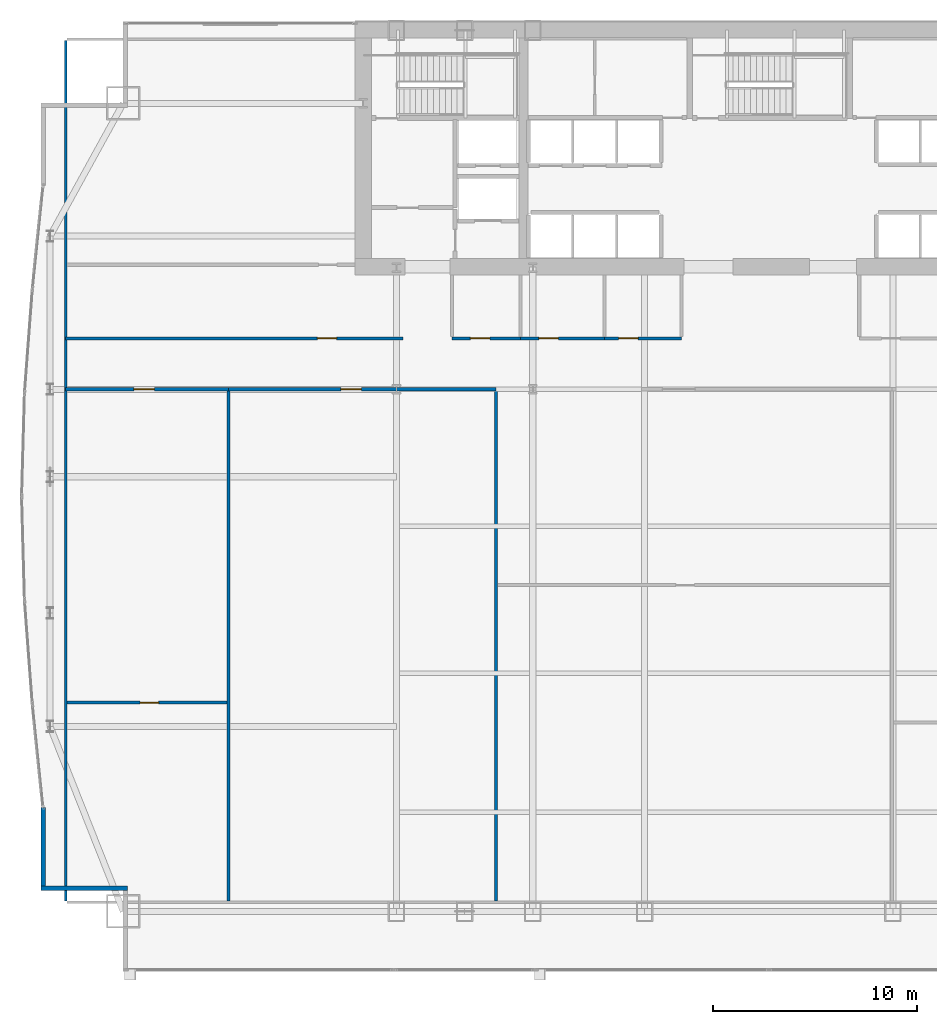
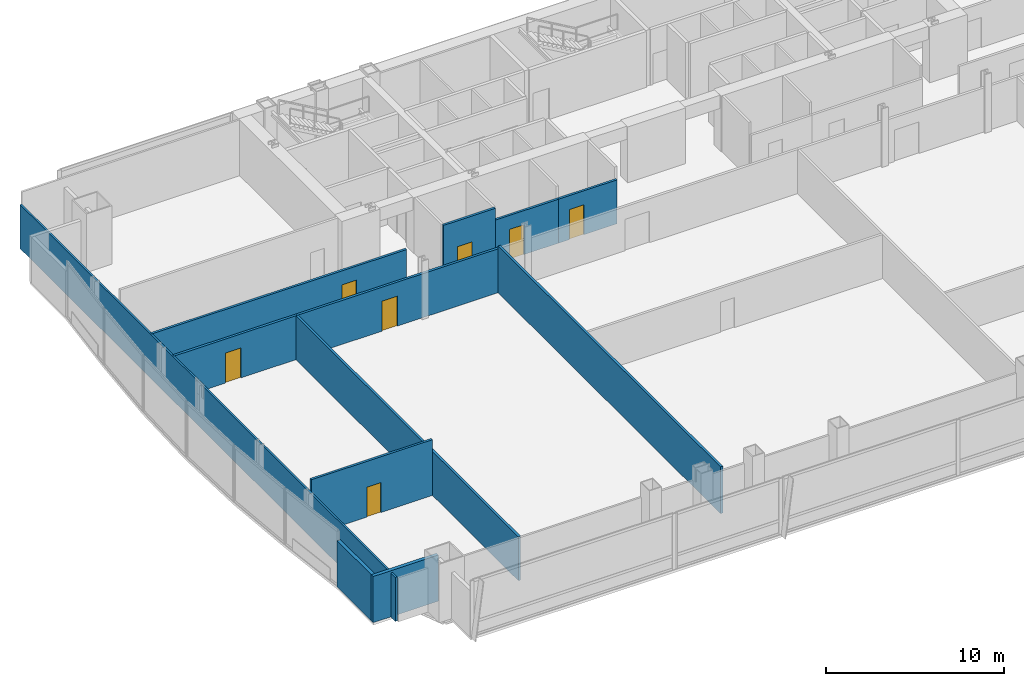
# One storey, part 28 of 33: 12 walls, 7 doors, 7 openings.
"""IFC4 building model written with IfcOpenShell, lengths in metres."""

import ifcopenshell
import ifcopenshell.guid

model = None  # the IFC model being written
_history = None  # IfcOwnerHistory: only IFC2X3 demands one
_inside = {}  # id of a spatial element -> (the spatial element, [elements in it])
_under = {}  # id of a project, library or spatial element -> (it, [spatial elements below it])
_declared = {}  # id of a project -> (the project, [libraries it declares])
_typed = {}  # id of a type object -> (the type object, [elements of that type])
_made_of = {}  # id of a material, layer set ... -> (it, [elements and type objects made of it])


def new_model(schema):
    """Start an empty IFC model of exactly this schema.

    Asked for "IFC4X3", IfcOpenShell would pick the latest addendum, in which some entities
    have other attributes; the version numbers below select the first issue.
    IFC2X3 requires an IfcOwnerHistory on every rooted entity: one is made here for all.
    """
    global model, _history
    if schema == "IFC4X3":
        model = ifcopenshell.file(schema_version=(4, 3, 0, 0))
    else:
        model = ifcopenshell.file(schema=schema)
    _inside.clear()
    _under.clear()
    _declared.clear()
    _typed.clear()
    _made_of.clear()
    _history = None
    if model.schema == "IFC2X3":
        org = make("IfcOrganization", Name="unknown")
        user = make(
            "IfcPersonAndOrganization",
            ThePerson=make("IfcPerson", FamilyName="unknown"),
            TheOrganization=org,
        )
        app = make(
            "IfcApplication",
            ApplicationDeveloper=org,
            Version="unknown",
            ApplicationFullName="unknown",
            ApplicationIdentifier="unknown",
        )
        _history = make(
            "IfcOwnerHistory",
            OwningUser=user,
            OwningApplication=app,
            ChangeAction="ADDED",
            CreationDate=0,
        )
    return model


def make(cls, **values):
    """One entity of the class cls with the attributes given. An attribute that is None is left unset."""
    return model.create_entity(
        cls, **{name: value for name, value in values.items() if value is not None}
    )


def rooted(cls, **values):
    """An entity with a GlobalId (a new one), such as an element, a storey or a relation."""
    return make(cls, GlobalId=ifcopenshell.guid.new(), OwnerHistory=_history, **values)


def si_unit(unit_type, name, prefix=None):
    """IfcSIUnit, for example si_unit("LENGTHUNIT", "METRE", prefix="MILLI")."""
    return make("IfcSIUnit", UnitType=unit_type, Prefix=prefix, Name=name)


def assignment(units):
    """IfcUnitAssignment: the units of a project."""
    return None if units is None else make("IfcUnitAssignment", Units=units)


def point(xyz):
    """IfcCartesianPoint."""
    return None if xyz is None else make("IfcCartesianPoint", Coordinates=xyz)


def direction(xyz):
    """IfcDirection."""
    return None if xyz is None else make("IfcDirection", DirectionRatios=xyz)


def frame(location, z_axis=None, x_axis=None):
    """IfcAxis2Placement3D, a coordinate frame: its origin and axes. An axis left out is left unset."""
    return make(
        "IfcAxis2Placement3D",
        Location=point(location),
        Axis=direction(z_axis),
        RefDirection=direction(x_axis),
    )


def frame_2d(location, x_axis=None):
    """IfcAxis2Placement2D, a coordinate frame in the plane: its origin and x axis."""
    return make(
        "IfcAxis2Placement2D", Location=point(location), RefDirection=direction(x_axis)
    )


def origin():
    """The frame at (0, 0, 0) with its axes left unset."""
    return frame((0.0, 0.0, 0.0))


def place(relative_to, where):
    """IfcLocalPlacement: puts the frame where relative to a parent placement (None: the world)."""
    return make(
        "IfcLocalPlacement", PlacementRelTo=relative_to, RelativePlacement=where
    )


def context(
    kind, dimensions, precision=None, world=None, true_north=None, identifier=None
):
    """IfcGeometricRepresentationContext, for example the 3D "Model" context."""
    return make(
        "IfcGeometricRepresentationContext",
        ContextIdentifier=identifier,
        ContextType=kind,
        CoordinateSpaceDimension=dimensions,
        Precision=precision,
        WorldCoordinateSystem=world,
        TrueNorth=true_north,
    )


def subcontext(parent, identifier, kind, view, scale=None):
    """IfcGeometricRepresentationSubContext, for example "Body" below "Model"."""
    return make(
        "IfcGeometricRepresentationSubContext",
        ContextIdentifier=identifier,
        ContextType=kind,
        ParentContext=parent,
        TargetScale=scale,
        TargetView=view,
    )


def project(units=None, contexts=None):
    """IfcProject with its units and contexts."""
    return rooted(
        "IfcProject",
        Name="project",
        RepresentationContexts=contexts,
        UnitsInContext=assignment(units),
    )


def spatial(cls, under=None, at=None, **own):
    """A site, building, storey or space (cls), placed at a placement, below another one or the project."""
    s = rooted(cls, ObjectPlacement=at, **own)
    if under is not None:
        _under.setdefault(under.id(), (under, []))[1].append(s)
    return s


def profile(cls, at=None, kind="AREA", **sizes):
    """A parametric profile (cls). Its sizes go by their IFC names, for example OverallWidth=200.0."""
    return make(cls, ProfileType=kind, Position=at, **sizes)


def rectangle(**sizes):
    """IfcRectangleProfileDef."""
    return profile("IfcRectangleProfileDef", **sizes)


def extrude(swept, where, along, depth):
    """IfcExtrudedAreaSolid: the profile swept, set in the frame where, extruded along a direction by depth."""
    return make(
        "IfcExtrudedAreaSolid",
        SweptArea=swept,
        Position=where,
        ExtrudedDirection=direction(along),
        Depth=depth,
    )


def shape(context_of_items, identifier, shape_type, items):
    """IfcShapeRepresentation: the items that make up one representation, for example the "Body"."""
    return make(
        "IfcShapeRepresentation",
        ContextOfItems=context_of_items,
        RepresentationIdentifier=identifier,
        RepresentationType=shape_type,
        Items=items,
    )


def material(Name=None, Category=None):
    """IfcMaterial."""
    return make("IfcMaterial", Name=Name, Category=Category)


def layer(
    of_material, thickness, ventilated=None, Name=None, Category=None, Priority=None
):
    """IfcMaterialLayer: one layer of a wall or slab, of a material (None: an air gap)."""
    return make(
        "IfcMaterialLayer",
        Material=of_material,
        LayerThickness=thickness,
        IsVentilated=ventilated,
        Name=Name,
        Category=Category,
        Priority=Priority,
    )


def layer_set(layers, Name=None):
    """IfcMaterialLayerSet."""
    return make("IfcMaterialLayerSet", MaterialLayers=layers, LayerSetName=Name)


def made_of(thing, what):
    """Note that an element or type object is made of a material, layer set ...; save() writes the relation."""
    if what is not None:
        _made_of.setdefault(what.id(), (what, []))[1].append(thing)
    return thing


def type_object(cls, material=None, **own):
    """A type object (cls), such as IfcWallType, which elements share."""
    return made_of(rooted(cls, **own), material)


def element(
    cls,
    number,
    at=None,
    inside=None,
    cuts=None,
    type_object=None,
    material=None,
    context=None,
    identifier="Body",
    shape_type=None,
    held_by="IfcProductDefinitionShape",
    body=None,
    shapes=None,
    **own,
):
    """One element of the class cls, such as IfcWall. Its Tag is "e" and its number.

    at: its placement. inside: the storey or other place that contains it. cuts: it is an
    opening in that element (IfcRelVoidsElement). A single representation is given by context,
    identifier, shape_type and body (its items); several are given by shapes. held_by: the class
    of the entity that holds the representations. save() writes the other relations.
    """
    e = rooted(cls, Tag="e%d" % number, ObjectPlacement=at, **own)
    if body is not None:
        shapes = [shape(context, identifier, shape_type, body)]
    if shapes is not None:
        e.Representation = make(held_by, Representations=shapes)
    if inside is not None:
        _inside.setdefault(inside.id(), (inside, []))[1].append(e)
    if cuts is not None:
        rooted(
            "IfcRelVoidsElement", RelatingBuildingElement=cuts, RelatedOpeningElement=e
        )
    if type_object is not None:
        _typed.setdefault(type_object.id(), (type_object, []))[1].append(e)
    return made_of(e, material)


def fill(opening, filler):
    """IfcRelFillsElement: the door or window that sits in an opening."""
    return rooted(
        "IfcRelFillsElement",
        RelatingOpeningElement=opening,
        RelatedBuildingElement=filler,
    )


def aggregate(whole, parts):
    """IfcRelAggregates: a whole, such as a stair, and the parts it consists of."""
    return rooted("IfcRelAggregates", RelatingObject=whole, RelatedObjects=parts)


def save(model, path):
    """Write the relations noted so far, then the file.

    IfcRelAggregates (storeys below a building ...), IfcRelContainedInSpatialStructure (elements
    in a storey), IfcRelDefinesByType, IfcRelAssociatesMaterial and IfcRelDeclares: one each for
    every whole, place, type object, material and project.
    """
    for whole, parts in _under.values():
        aggregate(whole, parts)
    for where, things in _inside.values():
        rooted(
            "IfcRelContainedInSpatialStructure",
            RelatedElements=things,
            RelatingStructure=where,
        )
    for kind, things in _typed.values():
        rooted("IfcRelDefinesByType", RelatedObjects=things, RelatingType=kind)
    for what, things in _made_of.values():
        rooted("IfcRelAssociatesMaterial", RelatedObjects=things, RelatingMaterial=what)
    for by, libraries in _declared.values():
        rooted("IfcRelDeclares", RelatingContext=by, RelatedDefinitions=libraries)
    model.write(path)


model = new_model("IFC4")

# Units and contexts
model_context = context("Model", 3, precision=1e-05, world=origin(), true_north=direction((0.0, 1.0)))
body_context = subcontext(model_context, "Body", "Model", "MODEL_VIEW")
ifc_project = project(units=[si_unit("LENGTHUNIT", "METRE"), si_unit("AREAUNIT", "SQUARE_METRE"), si_unit("VOLUMEUNIT", "CUBIC_METRE"), si_unit("PLANEANGLEUNIT", "RADIAN"), si_unit("MASSUNIT", "GRAM", prefix="KILO")], contexts=[model_context])

# Site, building, storey
site_placement = place(None, origin())
site = spatial("IfcSite", under=ifc_project, at=site_placement, CompositionType="ELEMENT")
building_placement = place(site_placement, origin())
building = spatial("IfcBuilding", under=site, at=building_placement, Name="Khoronbel Lancet Exchange", CompositionType="ELEMENT")
storey_placement = place(building_placement, frame((0.0, 0.0, 33.800048828125)))
storey = spatial("IfcBuildingStorey", under=building, at=storey_placement, Name="L07", CompositionType="ELEMENT", Elevation=33.800048828125)

# Walls
ifc_material_1 = material(Name="Precast concrete C40/50", Category="concrete")
ifc_layer_1 = layer(ifc_material_1, 0.25, Name="Precast concrete C40/50")
ifc_layer_set_1 = layer_set([ifc_layer_1], Name="Precast concrete C40/50")
wall_type_1 = type_object("IfcWallType", Name="WL-EXT250", PredefinedType="SOLIDWALL", material=ifc_layer_set_1)
wall_1_placement = place(storey_placement, frame((5.050048828125, 11.2900390625, 0.0), z_axis=(0.0, 0.0, 1.0), x_axis=(-1.0, 0.0, 0.0)))
element("IfcWall", 1, at=wall_1_placement, inside=storey, type_object=wall_type_1, Name="Level L07 notched-corner limestone pier 02", PredefinedType="SOLIDWALL", context=body_context, shape_type="SweptSolid", body=[
    extrude(rectangle(XDim=4.219970703125, YDim=0.219970703125, at=frame_2d((2.10986328125, 0.0))), origin(), (0.0, 0.0, 1.0), 3.159912109375),
])
wall_2_placement = place(storey_placement, frame((0.93994140625, 11.39990234375, 0.0), z_axis=(0.0, 0.0, 1.0), x_axis=(0.0, 1.0, 0.0)))
element("IfcWall", 2, at=wall_2_placement, inside=storey, type_object=wall_type_1, Name="Level L07 notched-corner limestone pier 03", PredefinedType="SOLIDWALL", context=body_context, shape_type="SweptSolid", body=[
    extrude(rectangle(XDim=3.82470703125, YDim=0.219970703125, at=frame_2d((1.912353515625, 0.0))), origin(), (0.0, 0.0, 1.0), 3.159912109375),
])

# Wall, opening, door
ifc_material_2 = material(Name="Acoustic Metal-Stud & Mineral-Wool Gypsum Partition 120 mm", Category="gypsum")
ifc_layer_2 = layer(ifc_material_2, 0.1201171875, Name="Acoustic Metal-Stud & Mineral-Wool Gypsum Partition 120 mm")
ifc_layer_set_2 = layer_set([ifc_layer_2], Name="Acoustic Metal-Stud & Mineral-Wool Gypsum Partition 120 mm")
wall_type_2 = type_object("IfcWallType", Name="WL-PRT120", PredefinedType="PARTITIONING", material=ifc_layer_set_2)
wall_3_placement = place(storey_placement, frame((2.094970703125, 20.369384765625, 0.0), z_axis=(0.0, 0.0, 1.0), x_axis=(1.0, 0.0, 0.0)))
wall_3 = element("IfcWall", 3, at=wall_3_placement, inside=storey, type_object=wall_type_2, Name="Level L07 interior partition PW-Z1S-H1", PredefinedType="PARTITIONING", context=body_context, shape_type="SweptSolid", body=[
    extrude(rectangle(XDim=7.830078125, YDim=0.14990234375, at=frame_2d((3.9150390625, 0.0))), origin(), (0.0, 0.0, 1.0), 3.820068359375),
])
opening_1_placement = place(wall_3_placement, frame((3.5888671875, 0.0, 0.0)))
opening_1 = element("IfcOpeningElement", 4, at=opening_1_placement, cuts=wall_3, Name="Opening D5", PredefinedType="OPENING", context=body_context, shape_type="SweptSolid", body=[
    extrude(rectangle(XDim=0.89990234375, YDim=2.050048828125, at=frame_2d((0.449951171875, 1.02490234375))), frame((0.0, 0.0849609375, 0.0), z_axis=(0.0, -1.0, 0.0), x_axis=(1.0, 0.0, 0.0)), (0.0, 0.0, 1.0), 0.169921875),
])
ifc_material_3 = material(Name="Acoustic Timber Pantry & Support Door", Category="wood")
door_type_1 = type_object("IfcDoorType", Name="DR-D5", OperationType="NOTDEFINED", PredefinedType="DOOR", material=ifc_material_3)
door_1_placement = place(opening_1_placement, origin())
door_1 = element("IfcDoor", 5, at=door_1_placement, inside=storey, type_object=door_type_1, Name="Z1S inner door 1 L07-1", OperationType="SINGLE_SWING_LEFT", OverallHeight=2.050048828125, OverallWidth=0.89990234375, PredefinedType="DOOR", context=body_context, shape_type="SweptSolid", body=[
    extrude(rectangle(XDim=0.89990234375, YDim=2.050048828125, at=frame_2d((0.449951171875, 1.02490234375))), frame((0.0, 0.02490234375, 0.0), z_axis=(0.0, -1.0, 0.0), x_axis=(1.0, 0.0, 0.0)), (0.0, 0.0, 1.0), 0.050048828125),
])
fill(opening_1, door_1)

# Wall
wall_4_placement = place(storey_placement, frame((2.030029296875, 10.6650390625, 0.0), z_axis=(0.0, 0.0, 1.0), x_axis=(0.0, 1.0, 0.0)))
element("IfcWall", 6, at=wall_4_placement, inside=storey, type_object=wall_type_2, Name="Level L07 interior partition PW-LIN-W", PredefinedType="PARTITIONING", context=body_context, shape_type="SweptSolid", body=[
    extrude(rectangle(XDim=42.10986328125, YDim=0.1201171875, at=frame_2d((21.054931640625, 0.0))), origin(), (0.0, 0.0, 1.0), 3.010009765625),
])

# Wall, opening, door
ifc_material_4 = material(Name="Fire-Rated Twin-Stud Acoustic Gypsum Partition 150 mm", Category="gypsum")
ifc_layer_3 = layer(ifc_material_4, 0.14990234375, Name="Fire-Rated Twin-Stud Acoustic Gypsum Partition 150 mm")
ifc_layer_set_3 = layer_set([ifc_layer_3], Name="Fire-Rated Twin-Stud Acoustic Gypsum Partition 150 mm")
wall_type_3 = type_object("IfcWallType", Name="WL-PRT150C", PredefinedType="PARTITIONING", material=ifc_layer_set_3)
wall_5_placement = place(storey_placement, frame((20.949951171875, 38.199951171875, 0.0), z_axis=(0.0, 0.0, 1.0), x_axis=(1.0, 0.0, 0.0)))
wall_5 = element("IfcWall", 7, at=wall_5_placement, inside=storey, type_object=wall_type_3, Name="Level L07 interior partition PW-WC-S1", PredefinedType="PARTITIONING", context=body_context, shape_type="SweptSolid", body=[
    extrude(rectangle(XDim=3.35009765625, YDim=0.14990234375, at=frame_2d((1.675048828125, 0.0))), origin(), (0.0, 0.0, 1.0), 3.820068359375),
])
opening_2_placement = place(wall_5_placement, frame((0.89990234375, 0.0, 0.0)))
opening_2 = element("IfcOpeningElement", 8, at=opening_2_placement, cuts=wall_5, Name="Opening D4", PredefinedType="OPENING", context=body_context, shape_type="SweptSolid", body=[
    extrude(rectangle(XDim=0.949951171875, YDim=2.050048828125, at=frame_2d((0.47509765625, 1.02490234375))), frame((0.0, 0.0849609375, 0.0), z_axis=(0.0, -1.0, 0.0), x_axis=(1.0, 0.0, 0.0)), (0.0, 0.0, 1.0), 0.169921875),
])
ifc_material_5 = material(Name="Moisture-Resistant HPL Washroom Door", Category="wood")
door_type_2 = type_object("IfcDoorType", Name="DR-D4", OperationType="NOTDEFINED", PredefinedType="DOOR", material=ifc_material_5)
door_2_placement = place(opening_2_placement, origin())
door_2 = element("IfcDoor", 9, at=door_2_placement, inside=storey, type_object=door_type_2, Name="Male washroom door L07-1", OperationType="SINGLE_SWING_LEFT", OverallHeight=2.050048828125, OverallWidth=0.949951171875, PredefinedType="DOOR", context=body_context, shape_type="SweptSolid", body=[
    extrude(rectangle(XDim=0.949951171875, YDim=2.050048828125, at=frame_2d((0.47509765625, 1.02490234375))), frame((0.0, 0.02490234375, 0.0), z_axis=(0.0, -1.0, 0.0), x_axis=(1.0, 0.0, 0.0)), (0.0, 0.0, 1.0), 0.050048828125),
])
fill(opening_2, door_2)

wall_6_placement = place(storey_placement, frame((24.300048828125, 38.199951171875, 0.0), z_axis=(0.0, 0.0, 1.0), x_axis=(1.0, 0.0, 0.0)))
wall_6 = element("IfcWall", 10, at=wall_6_placement, inside=storey, type_object=wall_type_3, Name="Level L07 interior partition PW-WC-S2", PredefinedType="PARTITIONING", context=body_context, shape_type="SweptSolid", body=[
    extrude(rectangle(XDim=4.099853515625, YDim=0.14990234375, at=frame_2d((2.0498046875, 0.0))), origin(), (0.0, 0.0, 1.0), 3.010009765625),
])
opening_3_placement = place(wall_6_placement, frame((0.89990234375, 0.0, 0.0)))
opening_3 = element("IfcOpeningElement", 11, at=opening_3_placement, cuts=wall_6, Name="Opening D4", PredefinedType="OPENING", context=body_context, shape_type="SweptSolid", body=[
    extrude(rectangle(XDim=0.949951171875, YDim=2.050048828125, at=frame_2d((0.47509765625, 1.02490234375))), frame((0.0, 0.0849609375, 0.0), z_axis=(0.0, -1.0, 0.0), x_axis=(1.0, 0.0, 0.0)), (0.0, 0.0, 1.0), 0.169921875),
])
door_3_placement = place(opening_3_placement, origin())
door_3 = element("IfcDoor", 12, at=door_3_placement, inside=storey, type_object=door_type_2, Name="Female washroom door L07-1", OperationType="SINGLE_SWING_RIGHT", OverallHeight=2.050048828125, OverallWidth=0.949951171875, PredefinedType="DOOR", context=body_context, shape_type="SweptSolid", body=[
    extrude(rectangle(XDim=0.949951171875, YDim=2.050048828125, at=frame_2d((0.47509765625, 1.02490234375))), frame((0.0, 0.02490234375, 0.0), z_axis=(0.0, -1.0, 0.0), x_axis=(1.0, 0.0, 0.0)), (0.0, 0.0, 1.0), 0.050048828125),
])
fill(opening_3, door_3)

wall_7_placement = place(storey_placement, frame((28.39990234375, 38.199951171875, 0.0), z_axis=(0.0, 0.0, 1.0), x_axis=(1.0, 0.0, 0.0)))
wall_7 = element("IfcWall", 13, at=wall_7_placement, inside=storey, type_object=wall_type_3, Name="Level L07 interior partition PW-WC-S3", PredefinedType="PARTITIONING", context=body_context, shape_type="SweptSolid", body=[
    extrude(rectangle(XDim=3.780029296875, YDim=0.14990234375, at=frame_2d((1.89013671875, 0.0))), origin(), (0.0, 0.0, 1.0), 3.010009765625),
])
opening_4_placement = place(wall_7_placement, frame((0.699951171875, 0.0, 0.0)))
opening_4 = element("IfcOpeningElement", 14, at=opening_4_placement, cuts=wall_7, Name="Opening D4", PredefinedType="OPENING", context=body_context, shape_type="SweptSolid", body=[
    extrude(rectangle(XDim=0.949951171875, YDim=2.050048828125, at=frame_2d((0.47509765625, 1.02490234375))), frame((0.0, 0.0849609375, 0.0), z_axis=(0.0, -1.0, 0.0), x_axis=(1.0, 0.0, 0.0)), (0.0, 0.0, 1.0), 0.169921875),
])
door_4_placement = place(opening_4_placement, origin())
door_4 = element("IfcDoor", 15, at=door_4_placement, inside=storey, type_object=door_type_2, Name="Accessible WC door L07-1", OperationType="SINGLE_SWING_LEFT", OverallHeight=2.050048828125, OverallWidth=0.949951171875, PredefinedType="DOOR", context=body_context, shape_type="SweptSolid", body=[
    extrude(rectangle(XDim=0.949951171875, YDim=2.050048828125, at=frame_2d((0.47509765625, 1.02490234375))), frame((0.0, 0.02490234375, 0.0), z_axis=(0.0, -1.0, 0.0), x_axis=(1.0, 0.0, 0.0)), (0.0, 0.0, 1.0), 0.050048828125),
])
fill(opening_4, door_4)

wall_8_placement = place(storey_placement, frame((2.030029296875, 38.199951171875, 0.0), z_axis=(0.0, 0.0, 1.0), x_axis=(1.0, 0.0, 0.0)))
wall_8 = element("IfcWall", 16, at=wall_8_placement, inside=storey, type_object=wall_type_3, Name="Level L07 interior partition PW-NW-S", PredefinedType="PARTITIONING", context=body_context, shape_type="SweptSolid", body=[
    extrude(rectangle(XDim=16.52001953125, YDim=0.14990234375, at=frame_2d((8.260009765625, 0.0))), origin(), (0.0, 0.0, 1.0), 3.010009765625),
])
opening_5_placement = place(wall_8_placement, frame((12.320068359375, 0.0, 0.0)))
opening_5 = element("IfcOpeningElement", 17, at=opening_5_placement, cuts=wall_8, Name="Opening D1", PredefinedType="OPENING", context=body_context, shape_type="SweptSolid", body=[
    extrude(rectangle(XDim=0.949951171875, YDim=2.050048828125, at=frame_2d((0.47509765625, 1.02490234375))), frame((0.0, 0.0849609375, 0.0), z_axis=(0.0, -1.0, 0.0), x_axis=(1.0, 0.0, 0.0)), (0.0, 0.0, 1.0), 0.169921875),
])
ifc_material_6 = material(Name="Acoustic Veneered Timber & Bronze Frame Door", Category="wood")
door_type_3 = type_object("IfcDoorType", Name="DR-D1", OperationType="NOTDEFINED", PredefinedType="DOOR", material=ifc_material_6)
door_5_placement = place(opening_5_placement, origin())
door_5 = element("IfcDoor", 18, at=door_5_placement, inside=storey, type_object=door_type_3, Name="NW corner room door L07-1", OperationType="SINGLE_SWING_RIGHT", OverallHeight=2.050048828125, OverallWidth=0.949951171875, PredefinedType="DOOR", context=body_context, shape_type="SweptSolid", body=[
    extrude(rectangle(XDim=0.949951171875, YDim=2.050048828125, at=frame_2d((0.47509765625, 1.02490234375))), frame((0.0, 0.02490234375, 0.0), z_axis=(0.0, -1.0, 0.0), x_axis=(1.0, 0.0, 0.0)), (0.0, 0.0, 1.0), 0.050048828125),
])
fill(opening_5, door_5)

# Walls
wall_9_placement = place(storey_placement, frame((10.0048828125, 10.6650390625, 0.0), z_axis=(0.0, 0.0, 1.0), x_axis=(0.0, 1.0, 0.0)))
element("IfcWall", 19, at=wall_9_placement, inside=storey, type_object=wall_type_3, Name="Level L07 interior partition PW-Z1S-V1", PredefinedType="PARTITIONING", context=body_context, shape_type="SweptSolid", body=[
    extrude(rectangle(XDim=24.949951171875, YDim=0.14990234375, at=frame_2d((12.47509765625, 0.0))), origin(), (0.0, 0.0, 1.0), 3.010009765625),
])
wall_10_placement = place(storey_placement, frame((23.102783203125, 10.6650390625, 0.0), z_axis=(0.0, 0.0, 1.0), x_axis=(0.0, 1.0, 0.0)))
element("IfcWall", 20, at=wall_10_placement, inside=storey, type_object=wall_type_3, Name="Level L07 interior partition PW-Z1S-V2", PredefinedType="PARTITIONING", context=body_context, shape_type="SweptSolid", body=[
    extrude(rectangle(XDim=24.949951171875, YDim=0.14990234375, at=frame_2d((12.47509765625, 0.0))), origin(), (0.0, 0.0, 1.0), 3.2099609375),
])

# Wall, opening, door
ifc_material_7 = material(Name="Fire-Rated Twin-Stud Acoustic Gypsum Partition 160 mm", Category="gypsum")
ifc_layer_4 = layer(ifc_material_7, 0.159912109375, Name="Fire-Rated Twin-Stud Acoustic Gypsum Partition 160 mm")
ifc_layer_set_4 = layer_set([ifc_layer_4], Name="Fire-Rated Twin-Stud Acoustic Gypsum Partition 160 mm")
wall_type_4 = type_object("IfcWallType", Name="WL-PRT160C", PredefinedType="PARTITIONING", material=ifc_layer_set_4)
wall_11_placement = place(storey_placement, frame((2.030029296875, 35.699951171875, 0.0), z_axis=(0.0, 0.0, 1.0), x_axis=(1.0, 0.0, 0.0)))
wall_11 = element("IfcWall", 21, at=wall_11_placement, inside=storey, type_object=wall_type_4, Name="Level L07 interior partition PW-Z1S-COR1", PredefinedType="PARTITIONING", context=body_context, shape_type="SweptSolid", body=[
    extrude(rectangle(XDim=7.974853515625, YDim=0.159912109375, at=frame_2d((3.9873046875, 0.0))), origin(), (0.0, 0.0, 1.0), 3.010009765625),
])
opening_6_placement = place(wall_11_placement, frame((3.349609375, 0.0, 0.0)))
opening_6 = element("IfcOpeningElement", 22, at=opening_6_placement, cuts=wall_11, Name="Opening D2", PredefinedType="OPENING", context=body_context, shape_type="SweptSolid", body=[
    extrude(rectangle(XDim=1.0, YDim=2.050048828125, at=frame_2d((0.5, 1.02490234375))), frame((0.0, 0.08984375, 0.0), z_axis=(0.0, -1.0, 0.0), x_axis=(1.0, 0.0, 0.0)), (0.0, 0.0, 1.0), 0.179931640625),
])
door_type_4 = type_object("IfcDoorType", Name="DR-D2", OperationType="NOTDEFINED", PredefinedType="DOOR", material=ifc_material_6)
door_6_placement = place(opening_6_placement, origin())
door_6 = element("IfcDoor", 23, at=door_6_placement, inside=storey, type_object=door_type_4, Name="Z1S bay 1 door L07-1", OperationType="SINGLE_SWING_RIGHT", OverallHeight=2.050048828125, OverallWidth=1.0, PredefinedType="DOOR", context=body_context, shape_type="SweptSolid", body=[
    extrude(rectangle(XDim=1.0, YDim=2.050048828125, at=frame_2d((0.5, 1.02490234375))), frame((0.0, 0.02490234375, 0.0), z_axis=(0.0, -1.0, 0.0), x_axis=(1.0, 0.0, 0.0)), (0.0, 0.0, 1.0), 0.050048828125),
])
fill(opening_6, door_6)

wall_12_placement = place(storey_placement, frame((10.0048828125, 35.699951171875, 0.0), z_axis=(0.0, 0.0, 1.0), x_axis=(1.0, 0.0, 0.0)))
wall_12 = element("IfcWall", 24, at=wall_12_placement, inside=storey, type_object=wall_type_4, Name="Level L07 interior partition PW-Z1S-COR2", PredefinedType="PARTITIONING", context=body_context, shape_type="SweptSolid", body=[
    extrude(rectangle(XDim=13.097900390625, YDim=0.159912109375, at=frame_2d((6.548828125, 0.0))), origin(), (0.0, 0.0, 1.0), 3.010009765625),
])
opening_7_placement = place(wall_12_placement, frame((5.501220703125, 0.0, 0.0)))
opening_7 = element("IfcOpeningElement", 25, at=opening_7_placement, cuts=wall_12, Name="Opening D2", PredefinedType="OPENING", context=body_context, shape_type="SweptSolid", body=[
    extrude(rectangle(XDim=1.0, YDim=2.050048828125, at=frame_2d((0.5, 1.02490234375))), frame((0.0, 0.08984375, 0.0), z_axis=(0.0, -1.0, 0.0), x_axis=(1.0, 0.0, 0.0)), (0.0, 0.0, 1.0), 0.179931640625),
])
door_7_placement = place(opening_7_placement, origin())
door_7 = element("IfcDoor", 26, at=door_7_placement, inside=storey, type_object=door_type_4, Name="Z1S bay 2 door L07-1", OperationType="SINGLE_SWING_RIGHT", OverallHeight=2.050048828125, OverallWidth=1.0, PredefinedType="DOOR", context=body_context, shape_type="SweptSolid", body=[
    extrude(rectangle(XDim=1.0, YDim=2.050048828125, at=frame_2d((0.5, 1.02490234375))), frame((0.0, 0.02490234375, 0.0), z_axis=(0.0, -1.0, 0.0), x_axis=(1.0, 0.0, 0.0)), (0.0, 0.0, 1.0), 0.050048828125),
])
fill(opening_7, door_7)

save(model, "model.ifc")
